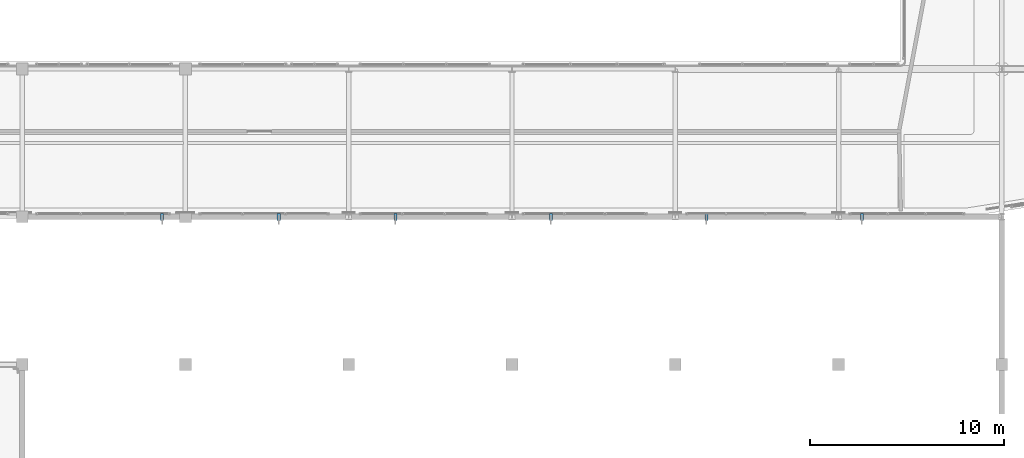
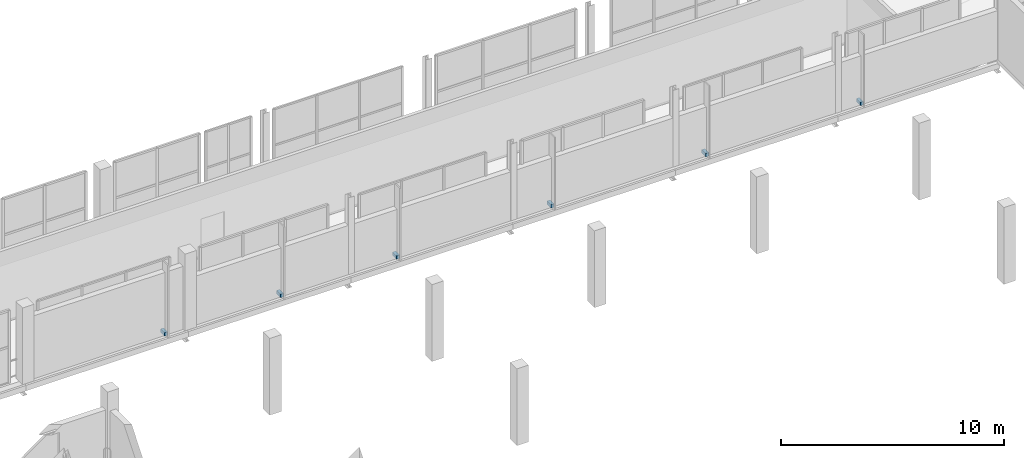
# One storey, part 135 of 151: 6 discrete accessories.
"""IFC4 building model written with IfcOpenShell, lengths in metres."""

from ifc_helpers import new_model, si_unit, direction, frame, origin, origin_2d, place, context, subcontext, project, spatial, rectangle, extrude, material, type_object, element, save


model = new_model("IFC4")

# Units and contexts
model_context = context("Model", 3, precision=1e-05, world=origin(), true_north=direction((0.0, 1.0)))
body_context = subcontext(model_context, "Body", "Model", "MODEL_VIEW")
ifc_project = project(units=[si_unit("LENGTHUNIT", "METRE"), si_unit("AREAUNIT", "SQUARE_METRE"), si_unit("VOLUMEUNIT", "CUBIC_METRE"), si_unit("PLANEANGLEUNIT", "RADIAN"), si_unit("MASSUNIT", "GRAM", prefix="KILO")], contexts=[model_context])

# Site, building, storey
site_placement = place(None, origin())
site = spatial("IfcSite", under=ifc_project, at=site_placement, CompositionType="ELEMENT")
building_placement = place(site_placement, origin())
building = spatial("IfcBuilding", under=site, at=building_placement, Name="Zuvorla Pavilion Media Centre", CompositionType="ELEMENT")
storey_placement = place(building_placement, frame((0.0, 0.0, 13.800048828125)))
storey = spatial("IfcBuildingStorey", under=building, at=storey_placement, Name="L03", CompositionType="ELEMENT", Elevation=13.800048828125)

# Discrete accessories
ifc_material = material(Name="Galvanised steel S355 fixing bracket", Category="steel")
discrete_accessory_type = type_object("IfcDiscreteAccessoryType", Name="ACC-BRK-STL", PredefinedType="BRACKET", material=ifc_material)
for number, where, z_axis, x_axis, name in (
    (1, (116.0, 44.0, -0.01025390625), (0.0, 0.0, 1.0), (1.0, 0.0, 0.0), "L03 brise-soleil bracket 19"),
    (2, (122.0, 44.0, -0.01025390625), (0.0, 0.0, 1.0), (1.0, 0.0, 0.0), "L03 brise-soleil bracket 20"),
    (3, (128.0, 44.0, -0.01025390625), (0.0, 0.0, 1.0), (1.0, 0.0, 0.0), "L03 brise-soleil bracket 21"),
    (4, (136.0, 44.0, -0.01025390625), (0.0, 0.0, 1.0), (1.0, 0.0, 0.0), "L03 brise-soleil bracket 22"),
    (5, (144.0, 44.0, -0.01025390625), (0.0, 0.0, 1.0), (1.0, 0.0, 0.0), "L03 brise-soleil bracket 23"),
    (6, (152.0, 44.0, -0.01025390625), (0.0, 0.0, 1.0), (1.0, 0.0, 0.0), "L03 brise-soleil bracket 24"),
):
    element("IfcDiscreteAccessory", number, at=place(storey_placement, frame(where, z_axis=z_axis, x_axis=x_axis)), inside=storey, type_object=discrete_accessory_type, Name=name, PredefinedType="BRACKET", context=body_context, shape_type="SweptSolid", body=[
        extrude(rectangle(XDim=0.159912109375, YDim=0.360107421875, at=origin_2d()), origin(), (0.0, 0.0, 1.0), 0.179931640625),
    ])

save(model, "model.ifc")
